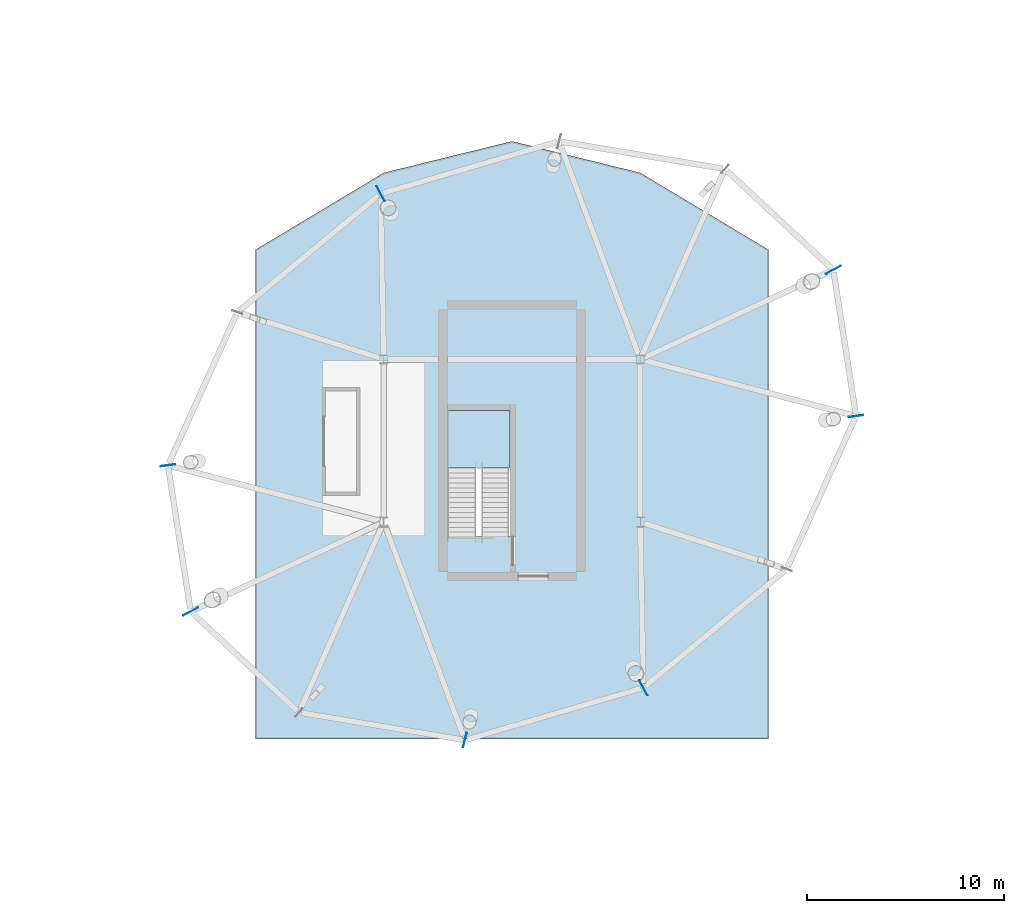
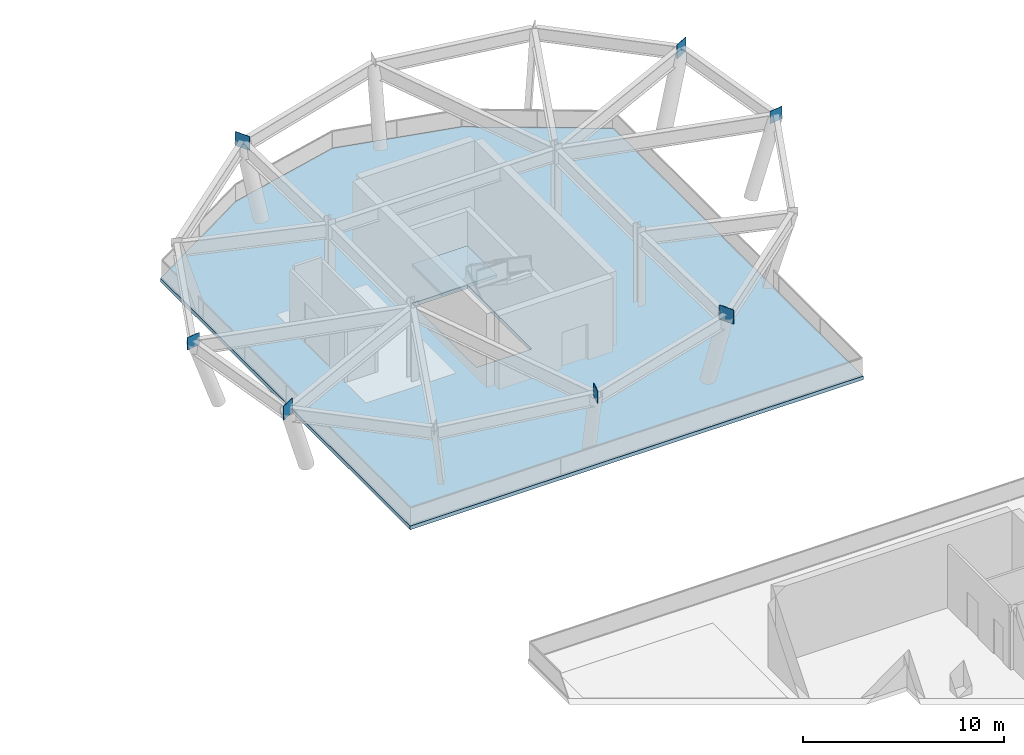
# One storey, part 56 of 91: 7 plates, 2 slabs, 1 element without a shape of its own.
"""IFC4 building model written with IfcOpenShell, lengths in metres."""

from ifc_helpers import new_model, si_unit, direction, frame, origin, origin_2d, place, context, subcontext, project, spatial, polyline, rectangle, outline, extrude, material, layer, layer_set, type_object, element, aggregate, save


model = new_model("IFC4")

# Units and contexts
model_context = context("Model", 3, precision=1e-05, world=origin(), true_north=direction((0.0, 1.0)))
body_context = subcontext(model_context, "Body", "Model", "MODEL_VIEW")
ifc_project = project(units=[si_unit("LENGTHUNIT", "METRE"), si_unit("AREAUNIT", "SQUARE_METRE"), si_unit("VOLUMEUNIT", "CUBIC_METRE"), si_unit("PLANEANGLEUNIT", "RADIAN"), si_unit("MASSUNIT", "GRAM", prefix="KILO")], contexts=[model_context])

# Site, building, storey
site_placement = place(None, origin())
site = spatial("IfcSite", under=ifc_project, at=site_placement, CompositionType="ELEMENT")
building_placement = place(site_placement, origin())
building = spatial("IfcBuilding", under=site, at=building_placement, Name="Linyun Crest Stadium", CompositionType="ELEMENT")
storey_placement = place(building_placement, frame((0.0, 0.0, 11.39990234375)))
storey = spatial("IfcBuildingStorey", under=building, at=storey_placement, Name="L03", CompositionType="ELEMENT", Elevation=11.39990234375)

# Plates
ifc_material_1 = material(Name="Steel Q420C", Category="steel")
ifc_layer_1 = layer(ifc_material_1, 0.028076171875)
ifc_layer_set_1 = layer_set([ifc_layer_1], Name="Steel Q420C")
plate_type = type_object("IfcPlateType", Name="EP03", PredefinedType="USERDEFINED", material=ifc_layer_set_1)
for number, where, z_axis, x_axis, name in (
    (1, (89.781005859375, 93.281005859375, 3.899658203125), (0.0, 0.0, 1.0), (0.883111415554, 0.469163327338, 0.0), "Hollow section cap end plate EP03 402"),
    (2, (66.845947265625, 97.139892578125, 3.95068359375), (0.0, 0.0, 1.0), (-0.469163327338, 0.883111415554, 0.0), "Hollow section cap end plate EP03 417"),
):
    element("IfcPlate", number, at=place(storey_placement, frame(where, z_axis=z_axis, x_axis=x_axis)), inside=storey, type_object=plate_type, Name=name, ObjectType="END PLATE", PredefinedType="USERDEFINED", context=body_context, shape_type="SweptSolid", body=[
        extrude(rectangle(XDim=0.85302734375, YDim=0.028076171875, at=origin_2d()), origin(), (0.0, 0.0, 1.0), 0.85302734375),
    ])
plate_1_placement = place(storey_placement, frame((56.06689453125, 83.3779296875, 3.978515625), z_axis=(0.0, 0.0, 1.0), x_axis=(-0.990581293254, -0.136925897678, 0.0)))
element("IfcPlate", 3, at=plate_1_placement, inside=storey, type_object=plate_type, Name="Hollow section cap end plate EP03 427", ObjectType="END PLATE", PredefinedType="USERDEFINED", context=body_context, shape_type="SweptSolid", body=[
    extrude(rectangle(XDim=0.7509765625, YDim=0.028076171875, at=origin_2d()), origin(), (0.0, 0.0, 1.0), 0.7509765625),
])
plate_2_placement = place(storey_placement, frame((57.218994140625, 75.968994140625, 3.899658203125), z_axis=(0.0, 0.0, 1.0), x_axis=(-0.883111415554, -0.469163327338, 0.0)))
element("IfcPlate", 4, at=plate_2_placement, inside=storey, type_object=plate_type, Name="Hollow section cap end plate EP03 432", ObjectType="END PLATE", PredefinedType="USERDEFINED", context=body_context, shape_type="SweptSolid", body=[
    extrude(rectangle(XDim=0.85302734375, YDim=0.028076171875, at=origin_2d()), origin(), (0.0, 0.0, 1.0), 0.85302734375),
])
plate_3_placement = place(storey_placement, frame((71.114013671875, 69.4541015625, 3.99951171875), z_axis=(0.0, 0.0, 1.0), x_axis=(-0.246491603437, -0.969144926951, 0.0)))
element("IfcPlate", 5, at=plate_3_placement, inside=storey, type_object=plate_type, Name="Hollow section cap end plate EP03 442", ObjectType="END PLATE", PredefinedType="USERDEFINED", context=body_context, shape_type="SweptSolid", body=[
    extrude(rectangle(XDim=0.7509765625, YDim=0.028076171875, at=origin_2d()), origin(), (0.0, 0.0, 1.0), 0.7509765625),
])
plate_4_placement = place(storey_placement, frame((80.154052734375, 72.110107421875, 3.95068359375), z_axis=(0.0, 0.0, 1.0), x_axis=(0.469163327338, -0.883111415554, 0.0)))
element("IfcPlate", 6, at=plate_4_placement, inside=storey, type_object=plate_type, Name="Hollow section cap end plate EP03 447", ObjectType="END PLATE", PredefinedType="USERDEFINED", context=body_context, shape_type="SweptSolid", body=[
    extrude(rectangle(XDim=0.85302734375, YDim=0.028076171875, at=origin_2d()), origin(), (0.0, 0.0, 1.0), 0.85302734375),
])
plate_5_placement = place(storey_placement, frame((90.93310546875, 85.8720703125, 3.978515625), z_axis=(0.0, 0.0, 1.0), x_axis=(0.990581293254, 0.136925897678, 0.0)))
element("IfcPlate", 7, at=plate_5_placement, inside=storey, type_object=plate_type, Name="Hollow section cap end plate EP03 457", ObjectType="END PLATE", PredefinedType="USERDEFINED", context=body_context, shape_type="SweptSolid", body=[
    extrude(rectangle(XDim=0.7509765625, YDim=0.028076171875, at=origin_2d()), origin(), (0.0, 0.0, 1.0), 0.7509765625),
])

# Slab
ifc_material_2 = material(Name="Concrete C40", Category="concrete")
ifc_layer_2 = layer(ifc_material_2, 0.219970703125)
ifc_layer_set_2 = layer_set([ifc_layer_2], Name="Concrete C40")
slab_type_1 = type_object("IfcSlabType", Name="FS03", PredefinedType="FLOOR", material=ifc_layer_set_2)
slab_1_placement = place(storey_placement, frame((0.0, 0.0, -0.219970703125)))
element("IfcSlab", 8, at=slab_1_placement, inside=storey, type_object=slab_type_1, Name="Slab FS03 V5 L03 57", PredefinedType="FLOOR", context=body_context, shape_type="SweptSolid", body=[
    extrude(outline(polyline([(60.5, 69.5), (86.5, 69.5), (86.5, 94.300048828125), (80.0, 98.199951171875), (73.5, 99.800048828125), (67.0, 98.199951171875), (60.5, 94.300048828125), (60.5, 69.5)]), holes=[polyline([(70.22509765625, 79.77001953125), (70.22509765625, 86.14990234375), (73.39990234375, 86.14990234375), (73.39990234375, 79.77001953125), (70.22509765625, 79.77001953125)])]), origin(), (0.0, 0.0, 1.0), 0.219970703125),
])

# Stair, slab
ifc_material_3 = material(Name="Concrete C40", Category="concrete")
stair_type = type_object("IfcStairType", Name="STA03", PredefinedType="HALF_TURN_STAIR", material=ifc_material_3)
stair_placement = place(storey_placement, origin())
stair = element("IfcStair", 9, at=stair_placement, inside=storey, type_object=stair_type, Name="Evacuation stair STR-12-L03", PredefinedType="HALF_TURN_STAIR")
ifc_material_4 = material(Name="Concrete C40", Category="concrete")
ifc_layer_3 = layer(ifc_material_4, 0.179931640625)
ifc_layer_set_3 = layer_set([ifc_layer_3], Name="Concrete C40")
slab_type_2 = type_object("IfcSlabType", Name="LS01", PredefinedType="LANDING", material=ifc_layer_set_3)
slab_2_placement = place(storey_placement, frame((0.0, 0.0, 2.22021484375)))
slab_2 = element("IfcSlab", 10, at=slab_2_placement, type_object=slab_type_2, Name="STR-12-L03 half-landing", PredefinedType="LANDING", context=body_context, shape_type="SweptSolid", body=[
    extrude(outline(polyline([(70.22509765625, 83.239990234375), (73.39990234375, 83.239990234375), (73.39990234375, 86.14990234375), (70.22509765625, 86.14990234375), (70.22509765625, 83.239990234375)])), origin(), (0.0, 0.0, 1.0), 0.179931640625),
])
aggregate(stair, [slab_2])

save(model, "model.ifc")
